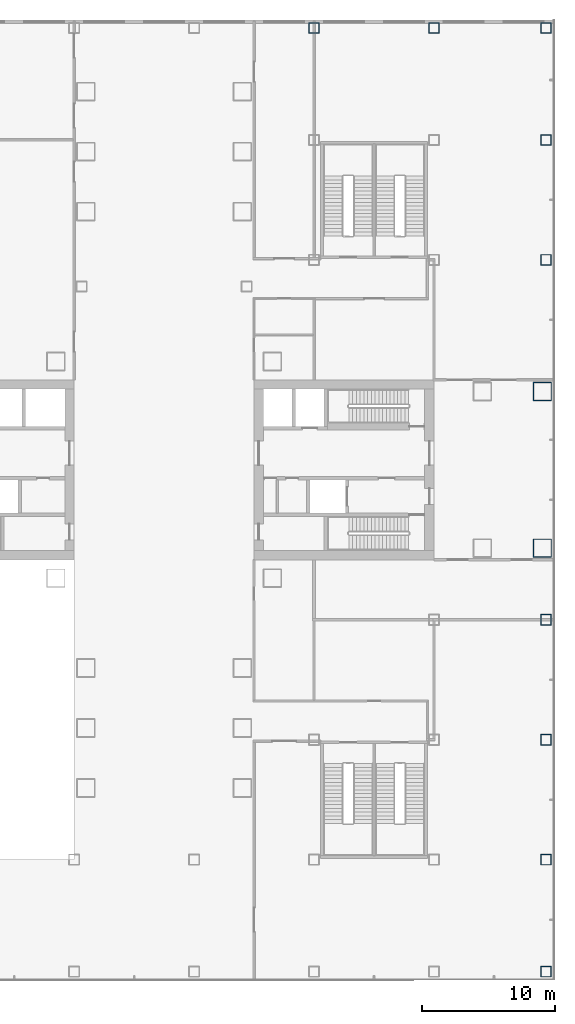
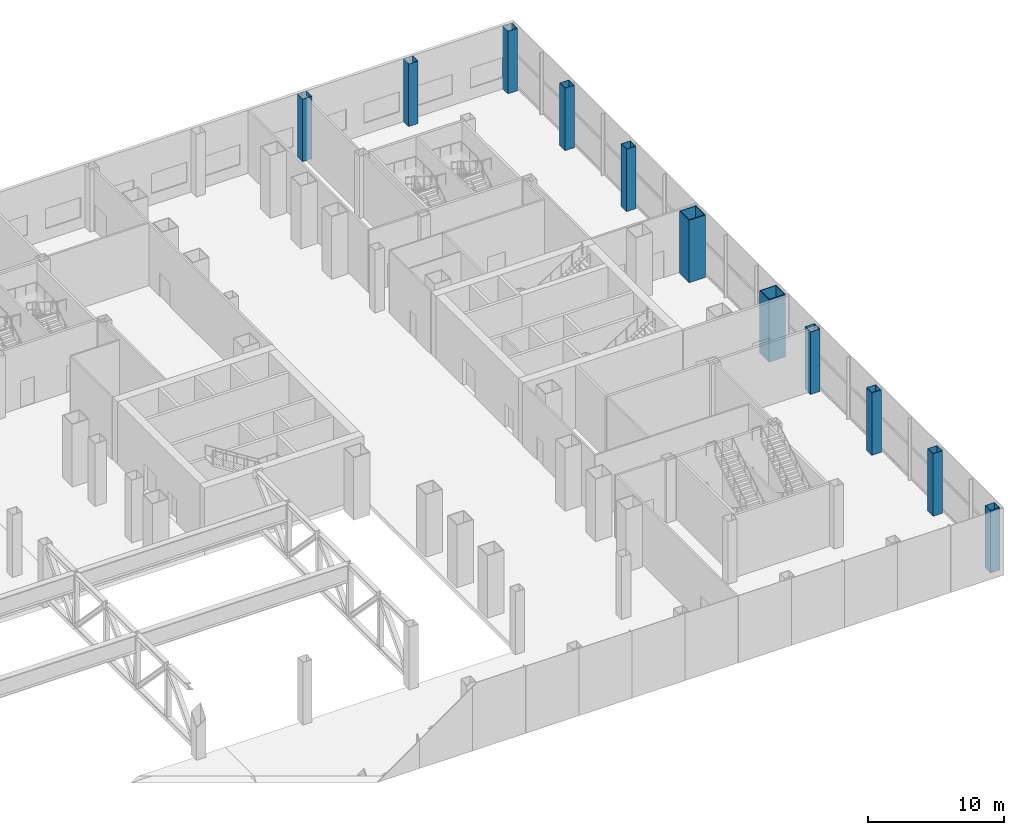
# One storey, part 4 of 33: 11 columns.
"""IFC4 building model written with IfcOpenShell, lengths in metres."""

from ifc_helpers import new_model, si_unit, direction, frame, origin, origin_2d, place, context, subcontext, project, spatial, hollow_rectangle, extrude, material, material_profile, profile_set, type_object, element, save


model = new_model("IFC4")

# Units and contexts
model_context = context("Model", 3, precision=1e-05, world=origin(), true_north=direction((0.0, 1.0)))
body_context = subcontext(model_context, "Body", "Model", "MODEL_VIEW")
ifc_project = project(units=[si_unit("LENGTHUNIT", "METRE"), si_unit("AREAUNIT", "SQUARE_METRE"), si_unit("VOLUMEUNIT", "CUBIC_METRE"), si_unit("PLANEANGLEUNIT", "RADIAN"), si_unit("MASSUNIT", "GRAM", prefix="KILO")], contexts=[model_context])

# Site, building, storey
site_placement = place(None, origin())
site = spatial("IfcSite", under=ifc_project, at=site_placement, CompositionType="ELEMENT")
building_placement = place(site_placement, origin())
building = spatial("IfcBuilding", under=site, at=building_placement, Name="Shamsa Quay Exchange Towers", CompositionType="ELEMENT")
storey_placement = place(building_placement, frame((0.0, 0.0, 6.5)))
storey = spatial("IfcBuildingStorey", under=building, at=storey_placement, Name="L01", CompositionType="ELEMENT", Elevation=6.5)

# Columns
ifc_material_1 = material(Name="Concrete-filled steel tube S355 / C80/95", Category="concrete")
ifc_material_profile_1 = material_profile(ifc_material_1, hollow_rectangle(XDim=1.39990234375, YDim=1.39990234375, WallThickness=0.06005859375, at=origin_2d()), Name="CFT 1400x1400x60")
ifc_profile_set_1 = profile_set([ifc_material_profile_1], Name="Concrete-filled steel tube S355 / C80/95")
column_type_1 = type_object("IfcColumnType", Name="Column CFT 1400x1400x60", PredefinedType="COLUMN", material=ifc_profile_set_1)
for number, where, name in (
    (1, (62.125, -5.875, 0.0), "Mega column T2-CM22"),
    (2, (62.125, 5.875, 0.0), "Mega column T2-CM24"),
):
    element("IfcColumn", number, at=place(storey_placement, frame(where)), inside=storey, type_object=column_type_1, Name=name, PredefinedType="COLUMN", context=body_context, shape_type="SweptSolid", body=[
        extrude(hollow_rectangle(XDim=1.39990234375, YDim=1.39990234375, WallThickness=0.06005859375, at=origin_2d()), origin(), (0.0, 0.0, 1.0), 5.60009765625),
    ])
ifc_material_2 = material(Name="Concrete-filled steel tube S355 / C60/75", Category="concrete")
ifc_material_profile_2 = material_profile(ifc_material_2, hollow_rectangle(XDim=0.800048828125, YDim=0.800048828125, WallThickness=0.030029296875, at=origin_2d()), Name="CFT 800x800x30")
ifc_profile_set_2 = profile_set([ifc_material_profile_2], Name="Concrete-filled steel tube S355 / C60/75")
column_type_2 = type_object("IfcColumnType", Name="Column CFT 800x800x30", PredefinedType="COLUMN", material=ifc_profile_set_2)
for number, where, name in (
    (3, (45.0, 33.14990234375, 0.0), "Perimeter column PD-C+0450+0338"),
    (4, (54.0, 33.14990234375, 0.0), "Perimeter column PD-C+0540+0338"),
    (5, (62.39990234375, -37.64990234375, 0.0), "Perimeter column PD-C+0630-0382"),
    (6, (62.39990234375, -29.25, 0.0), "Perimeter column PD-C+0630-0292"),
    (7, (62.39990234375, -20.25, 0.0), "Perimeter column PD-C+0630-0202"),
    (8, (62.39990234375, -11.25, 0.0), "Perimeter column PD-C+0630-0112"),
    (9, (62.39990234375, 15.75, 0.0), "Perimeter column PD-C+0630+0158"),
    (10, (62.39990234375, 24.75, 0.0), "Perimeter column PD-C+0630+0248"),
    (11, (62.39990234375, 33.14990234375, 0.0), "Perimeter column PD-C+0630+0338"),
):
    element("IfcColumn", number, at=place(storey_placement, frame(where)), inside=storey, type_object=column_type_2, Name=name, PredefinedType="COLUMN", context=body_context, shape_type="SweptSolid", body=[
        extrude(hollow_rectangle(XDim=0.800048828125, YDim=0.800048828125, WallThickness=0.030029296875, at=origin_2d()), origin(), (0.0, 0.0, 1.0), 5.60009765625),
    ])

save(model, "model.ifc")
